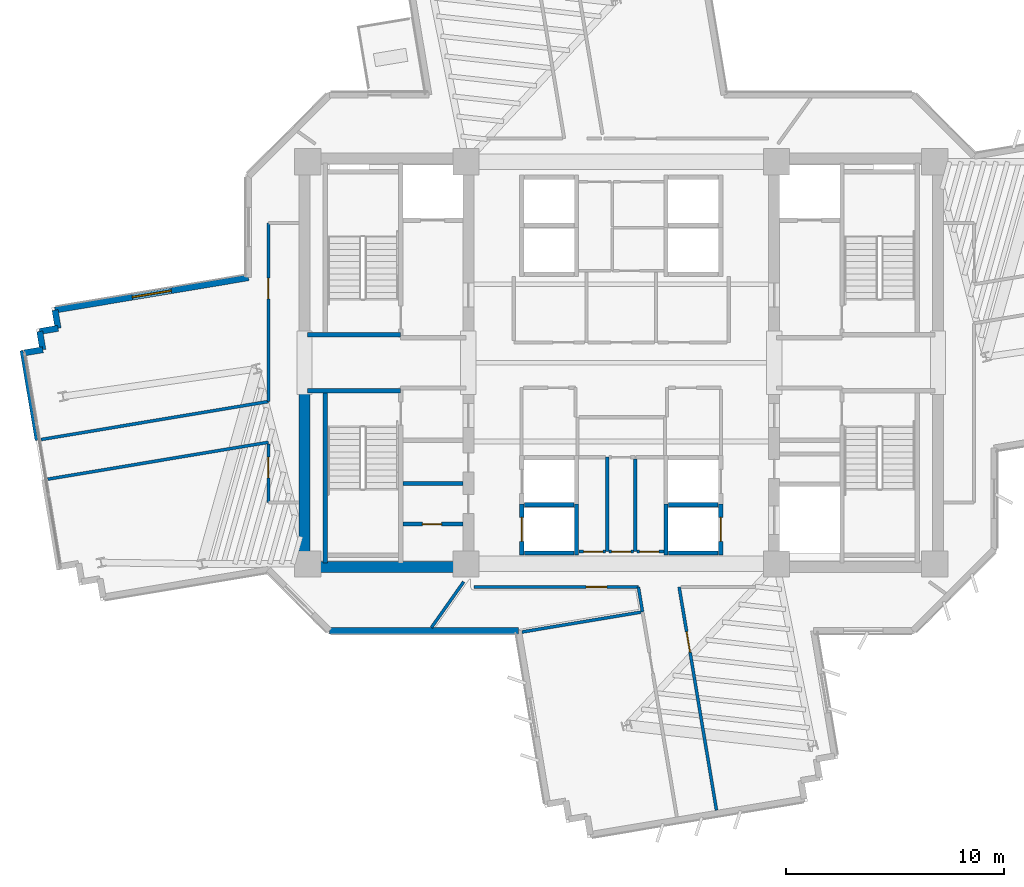
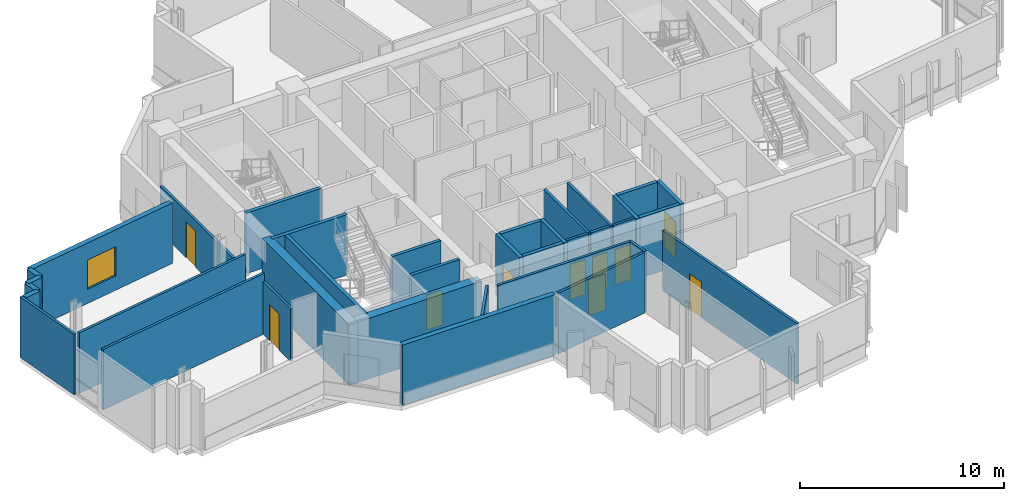
# One storey, part 7 of 15: 36 walls, 10 doors, 1 window, 11 openings.
"""IFC4 building model written with IfcOpenShell, lengths in metres."""

from ifc_helpers import new_model, si_unit, direction, frame, frame_2d, origin, place, context, subcontext, project, spatial, rectangle, extrude, source, transform, mapped, material, layer, layer_set, type_object, element, fill, save


model = new_model("IFC4")

# Units and contexts
model_context = context("Model", 3, precision=1e-05, world=origin(), true_north=direction((0.0, 1.0)))
body_context = subcontext(model_context, "Body", "Model", "MODEL_VIEW")
ifc_project = project(units=[si_unit("LENGTHUNIT", "METRE"), si_unit("AREAUNIT", "SQUARE_METRE"), si_unit("VOLUMEUNIT", "CUBIC_METRE"), si_unit("PLANEANGLEUNIT", "RADIAN"), si_unit("MASSUNIT", "GRAM", prefix="KILO")], contexts=[model_context])

# Site, building, storey
site_placement = place(None, origin())
site = spatial("IfcSite", under=ifc_project, at=site_placement, CompositionType="ELEMENT")
building_placement = place(site_placement, origin())
building = spatial("IfcBuilding", under=site, at=building_placement, Name="Zahravan Cultural Tower", CompositionType="ELEMENT")
storey_placement = place(building_placement, frame((0.0, 0.0, 143.39990234375)))
storey = spatial("IfcBuildingStorey", under=building, at=storey_placement, Name="L32", CompositionType="ELEMENT", Elevation=143.39990234375)

# Wall, opening, window
ifc_material_1 = material(Name="Precast concrete C40/50", Category="concrete")
ifc_layer_1 = layer(ifc_material_1, 0.280029296875)
ifc_layer_set_1 = layer_set([ifc_layer_1], Name="Precast concrete C40/50")
wall_type_1 = type_object("IfcWallType", Name="EW-TC-280", PredefinedType="SOLIDWALL", material=ifc_layer_set_1)
wall_1_placement = place(storey_placement, frame((10.0859375, 29.416015625, 0.0), z_axis=(0.0, 0.0, 1.0), x_axis=(0.98628492446, 0.165051651865, 0.0)))
wall_1 = element("IfcWall", 1, at=wall_1_placement, inside=storey, type_object=wall_type_1, Name="L32 Exterior Masonry Frame Wall 36", PredefinedType="SOLIDWALL", context=body_context, shape_type="SweptSolid", body=[
    extrude(rectangle(XDim=8.97705078125, YDim=0.280029296875, at=frame_2d((4.488525390625, 0.0))), origin(), (0.0, 0.0, 1.0), 3.6201171875),
])
opening_1_placement = place(wall_1_placement, frame((3.589111328125, 0.0, 0.85009765625)))
opening_1 = element("IfcOpeningElement", 2, at=opening_1_placement, cuts=wall_1, Name="Opening WN-02", PredefinedType="OPENING", context=body_context, shape_type="SweptSolid", body=[
    extrude(rectangle(XDim=1.800048828125, YDim=1.75, at=frame_2d((0.89990234375, 0.875))), frame((0.0, 0.14990234375, 0.0), z_axis=(0.0, -1.0, 0.0), x_axis=(1.0, 0.0, 0.0)), (0.0, 0.0, 1.0), 0.300048828125),
])
ifc_material_2 = material(Name="Low-E solar-control double glazing", Category="glass")
window_type = type_object("IfcWindowType", Name="WN-REC-1800X1750", PartitioningType="DOUBLE_PANEL_VERTICAL", PredefinedType="WINDOW", material=ifc_material_2)
shared_shape_1 = source(origin(), body_context, "Body", "SweptSolid", [
    extrude(rectangle(XDim=1.800048828125, YDim=1.75, at=frame_2d((0.89990234375, 0.875))), frame((0.0, 0.030029296875, 0.0), z_axis=(0.0, -1.0, 0.0), x_axis=(1.0, 0.0, 0.0)), (0.0, 0.0, 1.0), 0.06005859375),
])
window_placement = place(opening_1_placement, origin())
window = element("IfcWindow", 3, at=window_placement, inside=storey, type_object=window_type, Name="L32 Recessed Solar Window 07", OverallHeight=1.75, OverallWidth=1.800048828125, PartitioningType="DOUBLE_PANEL_VERTICAL", PredefinedType="WINDOW", context=body_context, shape_type="MappedRepresentation", body=[
    mapped(shared_shape_1, transform((0.0, 0.0, 0.0), x_axis=(1.0, 0.0, 0.0), y_axis=(0.0, 1.0, 0.0), z_axis=(0.0, 0.0, 1.0), scale=1.0)),
])
fill(opening_1, window)

# Wall, opening, door
ifc_material_3 = material(Name="Gypsum plasterboard partition")
ifc_layer_2 = layer(ifc_material_3, 0.179931640625)
ifc_layer_set_2 = layer_set([ifc_layer_2], Name="Gypsum plasterboard partition")
wall_type_2 = type_object("IfcWallType", Name="W-COMP-180", PredefinedType="PARTITIONING", material=ifc_layer_set_2)
wall_2_placement = place(storey_placement, frame((26.0, 19.6201171875, 0.0), z_axis=(0.0, 0.0, 1.0), x_axis=(1.0, 0.0, 0.0)))
wall_2 = element("IfcWall", 4, at=wall_2_placement, inside=storey, type_object=wall_type_2, Name="L32 Interior Wall 026", PredefinedType="PARTITIONING", context=body_context, shape_type="SweptSolid", body=[
    extrude(rectangle(XDim=2.75, YDim=0.179931640625, at=frame_2d((1.375, 0.0))), origin(), (0.0, 0.0, 1.0), 3.6201171875),
])
opening_2_placement = place(wall_2_placement, frame((0.89990234375, 0.0, 0.0)))
opening_2 = element("IfcOpeningElement", 5, at=opening_2_placement, cuts=wall_2, Name="Opening D-L32-09", PredefinedType="OPENING", context=body_context, shape_type="SweptSolid", body=[
    extrude(rectangle(XDim=0.8798828125, YDim=2.10009765625, at=frame_2d((0.43994140625, 1.050048828125))), frame((0.0, 0.099853515625, 0.0), z_axis=(0.0, -1.0, 0.0), x_axis=(1.0, 0.0, 0.0)), (0.0, 0.0, 1.0), 0.199951171875),
])
ifc_material_4 = material(Name="Steel ASTM A572 Grade 50", Category="steel")
door_type_1 = type_object("IfcDoorType", Name="DR-SVC-880", OperationType="NOTDEFINED", PredefinedType="DOOR", material=ifc_material_4)
shared_shape_2 = source(origin(), body_context, "Body", "SweptSolid", [
    extrude(rectangle(XDim=0.8798828125, YDim=2.10009765625, at=frame_2d((0.43994140625, 1.050048828125))), frame((0.0, 0.02490234375, 0.0), z_axis=(0.0, -1.0, 0.0), x_axis=(1.0, 0.0, 0.0)), (0.0, 0.0, 1.0), 0.050048828125),
])
door_1_placement = place(opening_2_placement, origin())
door_1 = element("IfcDoor", 6, at=door_1_placement, inside=storey, type_object=door_type_1, Name="L32 Door D-L32-09", OperationType="SINGLE_SWING_RIGHT", OverallHeight=2.10009765625, OverallWidth=0.8798828125, PredefinedType="DOOR", context=body_context, shape_type="MappedRepresentation", body=[
    mapped(shared_shape_2, transform((0.0, 0.0, 0.0), x_axis=(1.0, 0.0, 0.0), y_axis=(0.0, 1.0, 0.0), z_axis=(0.0, 0.0, 1.0), scale=1.0)),
])
fill(opening_2, door_1)

ifc_layer_3 = layer(ifc_material_3, 0.139892578125)
ifc_layer_set_3 = layer_set([ifc_layer_3], Name="Gypsum plasterboard partition")
wall_type_3 = type_object("IfcWallType", Name="W-PART-140", PredefinedType="PARTITIONING", material=ifc_layer_set_3)
wall_3_placement = place(storey_placement, frame((36.56494140625, 18.360107421875, 0.0), z_axis=(0.0, 0.0, 1.0), x_axis=(-1.0, 0.0, 0.0)))
wall_3 = element("IfcWall", 7, at=wall_3_placement, inside=storey, type_object=wall_type_3, Name="L32 Interior Wall 065", PredefinedType="PARTITIONING", context=body_context, shape_type="SweptSolid", body=[
    extrude(rectangle(XDim=1.1298828125, YDim=0.139892578125, at=frame_2d((0.56494140625, 0.0))), origin(), (0.0, 0.0, 1.0), 3.6201171875),
])
opening_3_placement = place(wall_3_placement, frame((0.125, 0.0, 0.0)))
opening_3 = element("IfcOpeningElement", 8, at=opening_3_placement, cuts=wall_3, Name="Opening D-L32-21", PredefinedType="OPENING", context=body_context, shape_type="SweptSolid", body=[
    extrude(rectangle(XDim=0.8798828125, YDim=2.10009765625, at=frame_2d((0.43994140625, 1.050048828125))), frame((0.0, 0.079833984375, 0.0), z_axis=(0.0, -1.0, 0.0), x_axis=(1.0, 0.0, 0.0)), (0.0, 0.0, 1.0), 0.159912109375),
])
ifc_material_5 = material(Name="Anodised bronze-aluminium mullion", Category="aluminium")
door_type_2 = type_object("IfcDoorType", Name="DR-ROOM-880", OperationType="NOTDEFINED", PredefinedType="DOOR", material=ifc_material_5)
door_2_placement = place(opening_3_placement, origin())
door_2 = element("IfcDoor", 9, at=door_2_placement, inside=storey, type_object=door_type_2, Name="L32 Door D-L32-21", OperationType="SINGLE_SWING_RIGHT", OverallHeight=2.10009765625, OverallWidth=0.8798828125, PredefinedType="DOOR", context=body_context, shape_type="MappedRepresentation", body=[
    mapped(shared_shape_2, transform((0.0, 0.0, 0.0), x_axis=(1.0, 0.0, 0.0), y_axis=(0.0, 1.0, 0.0), z_axis=(0.0, 0.0, 1.0), scale=1.0)),
])
fill(opening_3, door_2)

wall_4_placement = place(storey_placement, frame((35.284912109375, 18.360107421875, 0.0), z_axis=(0.0, 0.0, 1.0), x_axis=(-1.0, 0.0, 0.0)))
wall_4 = element("IfcWall", 10, at=wall_4_placement, inside=storey, type_object=wall_type_3, Name="L32 Interior Wall 067", PredefinedType="PARTITIONING", context=body_context, shape_type="SweptSolid", body=[
    extrude(rectangle(XDim=1.22998046875, YDim=0.139892578125, at=frame_2d((0.614990234375, 0.0))), origin(), (0.0, 0.0, 1.0), 3.6201171875),
])
opening_4_placement = place(wall_4_placement, frame((0.12255859375, 0.0, 0.0)))
opening_4 = element("IfcOpeningElement", 11, at=opening_4_placement, cuts=wall_4, Name="Opening D-L32-20", PredefinedType="OPENING", context=body_context, shape_type="SweptSolid", body=[
    extrude(rectangle(XDim=0.8798828125, YDim=2.10009765625, at=frame_2d((0.43994140625, 1.050048828125))), frame((0.0, 0.079833984375, 0.0), z_axis=(0.0, -1.0, 0.0), x_axis=(1.0, 0.0, 0.0)), (0.0, 0.0, 1.0), 0.159912109375),
])
door_3_placement = place(opening_4_placement, origin())
door_3 = element("IfcDoor", 12, at=door_3_placement, inside=storey, type_object=door_type_2, Name="L32 Door D-L32-20", OperationType="SINGLE_SWING_LEFT", OverallHeight=2.10009765625, OverallWidth=0.8798828125, PredefinedType="DOOR", context=body_context, shape_type="MappedRepresentation", body=[
    mapped(shared_shape_2, transform((0.0, 0.0, 0.0), x_axis=(1.0, 0.0, 0.0), y_axis=(0.0, 1.0, 0.0), z_axis=(0.0, 0.0, 1.0), scale=1.0)),
])
fill(opening_4, door_3)

wall_5_placement = place(storey_placement, frame((37.945068359375, 18.360107421875, 0.0), z_axis=(0.0, 0.0, 1.0), x_axis=(-1.0, 0.0, 0.0)))
wall_5 = element("IfcWall", 13, at=wall_5_placement, inside=storey, type_object=wall_type_3, Name="L32 Interior Wall 069", PredefinedType="PARTITIONING", context=body_context, shape_type="SweptSolid", body=[
    extrude(rectangle(XDim=1.22998046875, YDim=0.139892578125, at=frame_2d((0.614990234375, 0.0))), origin(), (0.0, 0.0, 1.0), 3.6201171875),
])
opening_5_placement = place(wall_5_placement, frame((0.2275390625, 0.0, 0.0)))
opening_5 = element("IfcOpeningElement", 14, at=opening_5_placement, cuts=wall_5, Name="Opening D-L32-22", PredefinedType="OPENING", context=body_context, shape_type="SweptSolid", body=[
    extrude(rectangle(XDim=0.8798828125, YDim=2.10009765625, at=frame_2d((0.43994140625, 1.050048828125))), frame((0.0, 0.079833984375, 0.0), z_axis=(0.0, -1.0, 0.0), x_axis=(1.0, 0.0, 0.0)), (0.0, 0.0, 1.0), 0.159912109375),
])
door_4_placement = place(opening_5_placement, origin())
door_4 = element("IfcDoor", 15, at=door_4_placement, inside=storey, type_object=door_type_2, Name="L32 Door D-L32-22", OperationType="SINGLE_SWING_LEFT", OverallHeight=2.10009765625, OverallWidth=0.8798828125, PredefinedType="DOOR", context=body_context, shape_type="MappedRepresentation", body=[
    mapped(shared_shape_2, transform((0.0, 0.0, 0.0), x_axis=(1.0, 0.0, 0.0), y_axis=(0.0, 1.0, 0.0), z_axis=(0.0, 0.0, 1.0), scale=1.0)),
])
fill(opening_5, door_4)

wall_6_placement = place(storey_placement, frame((29.257568359375, 16.740234375, 0.0), z_axis=(0.0, 0.0, 1.0), x_axis=(0.999999999474, -3.2436991e-05, 0.0)))
wall_6 = element("IfcWall", 16, at=wall_6_placement, inside=storey, type_object=wall_type_3, Name="L32 Interior Wall 088", PredefinedType="PARTITIONING", context=body_context, shape_type="SweptSolid", body=[
    extrude(rectangle(XDim=7.526611328125, YDim=0.139892578125, at=frame_2d((3.76318359375, 0.0))), origin(), (0.0, 0.0, 1.0), 3.6201171875),
])
opening_6_placement = place(wall_6_placement, frame((5.129638671875, 0.0, 0.0)))
opening_6 = element("IfcOpeningElement", 17, at=opening_6_placement, cuts=wall_6, Name="Opening D-L32-27", PredefinedType="OPENING", context=body_context, shape_type="SweptSolid", body=[
    extrude(rectangle(XDim=0.949951171875, YDim=2.14990234375, at=frame_2d((0.47509765625, 1.074951171875))), frame((0.0, 0.079833984375, 0.0), z_axis=(0.0, -1.0, 0.0), x_axis=(1.0, 0.0, 0.0)), (0.0, 0.0, 1.0), 0.159912109375),
])
door_type_3 = type_object("IfcDoorType", Name="DR-ROOM-950", OperationType="NOTDEFINED", PredefinedType="DOOR", material=ifc_material_5)
shared_shape_3 = source(origin(), body_context, "Body", "SweptSolid", [
    extrude(rectangle(XDim=0.949951171875, YDim=2.14990234375, at=frame_2d((0.47509765625, 1.074951171875))), frame((0.0, 0.02490234375, 0.0), z_axis=(0.0, -1.0, 0.0), x_axis=(1.0, 0.0, 0.0)), (0.0, 0.0, 1.0), 0.050048828125),
])
door_5_placement = place(opening_6_placement, origin())
door_5 = element("IfcDoor", 18, at=door_5_placement, inside=storey, type_object=door_type_3, Name="L32 Door D-L32-27", OperationType="SINGLE_SWING_RIGHT", OverallHeight=2.14990234375, OverallWidth=0.949951171875, PredefinedType="DOOR", context=body_context, shape_type="MappedRepresentation", body=[
    mapped(shared_shape_3, transform((0.0, 0.0, 0.0), x_axis=(1.0, 0.0, 0.0), y_axis=(0.0, 1.0, 0.0), z_axis=(0.0, 0.0, 1.0), scale=1.0)),
])
fill(opening_6, door_5)

wall_7_placement = place(storey_placement, frame((19.853759765625, 33.3994140625, 0.0), z_axis=(0.0, 0.0, 1.0), x_axis=(-0.000448283031, -0.999999899521, 0.0)))
wall_7 = element("IfcWall", 19, at=wall_7_placement, inside=storey, type_object=wall_type_3, Name="L32 Interior Wall 093", PredefinedType="PARTITIONING", context=body_context, shape_type="SweptSolid", body=[
    extrude(rectangle(XDim=8.169189453125, YDim=0.139892578125, at=frame_2d((4.08447265625, 0.0))), origin(), (0.0, 0.0, 1.0), 2.76611328125),
])
opening_7_placement = place(wall_7_placement, frame((2.52685546875, 0.0, 0.0)))
opening_7 = element("IfcOpeningElement", 20, at=opening_7_placement, cuts=wall_7, Name="Opening D-L32-25", PredefinedType="OPENING", context=body_context, shape_type="SweptSolid", body=[
    extrude(rectangle(XDim=0.949951171875, YDim=2.14990234375, at=frame_2d((0.47509765625, 1.074951171875))), frame((0.0, 0.079833984375, 0.0), z_axis=(0.0, -1.0, 0.0), x_axis=(1.0, 0.0, 0.0)), (0.0, 0.0, 1.0), 0.159912109375),
])
door_6_placement = place(opening_7_placement, origin())
door_6 = element("IfcDoor", 21, at=door_6_placement, inside=storey, type_object=door_type_3, Name="L32 Door D-L32-25", OperationType="SINGLE_SWING_RIGHT", OverallHeight=2.14990234375, OverallWidth=0.949951171875, PredefinedType="DOOR", context=body_context, shape_type="MappedRepresentation", body=[
    mapped(shared_shape_3, transform((0.0, 0.0, 0.0), x_axis=(1.0, 0.0, 0.0), y_axis=(0.0, 1.0, 0.0), z_axis=(0.0, 0.0, 1.0), scale=1.0)),
])
fill(opening_7, door_6)

wall_8_placement = place(storey_placement, frame((40.359375, 6.523681640625, 0.0), z_axis=(0.0, 0.0, 1.0), x_axis=(-0.165056345303, 0.986284139016, 0.0)))
wall_8 = element("IfcWall", 22, at=wall_8_placement, inside=storey, type_object=wall_type_3, Name="L32 Interior Wall 098", PredefinedType="PARTITIONING", context=body_context, shape_type="SweptSolid", body=[
    extrude(rectangle(XDim=10.3583984375, YDim=0.139892578125, at=frame_2d((5.17919921875, 0.0))), origin(), (0.0, 0.0, 1.0), 3.6201171875),
])
opening_8_placement = place(wall_8_placement, frame((7.33837890625, 0.0, 0.0)))
opening_8 = element("IfcOpeningElement", 23, at=opening_8_placement, cuts=wall_8, Name="Opening D-L32-29", PredefinedType="OPENING", context=body_context, shape_type="SweptSolid", body=[
    extrude(rectangle(XDim=0.949951171875, YDim=2.14990234375, at=frame_2d((0.47509765625, 1.074951171875))), frame((0.0, 0.079833984375, 0.0), z_axis=(0.0, -1.0, 0.0), x_axis=(1.0, 0.0, 0.0)), (0.0, 0.0, 1.0), 0.159912109375),
])
door_7_placement = place(opening_8_placement, origin())
door_7 = element("IfcDoor", 24, at=door_7_placement, inside=storey, type_object=door_type_3, Name="L32 Door D-L32-29", OperationType="SINGLE_SWING_RIGHT", OverallHeight=2.14990234375, OverallWidth=0.949951171875, PredefinedType="DOOR", context=body_context, shape_type="MappedRepresentation", body=[
    mapped(shared_shape_3, transform((0.0, 0.0, 0.0), x_axis=(1.0, 0.0, 0.0), y_axis=(0.0, 1.0, 0.0), z_axis=(0.0, 0.0, 1.0), scale=1.0)),
])
fill(opening_8, door_7)

wall_9_placement = place(storey_placement, frame((19.85009765625, 23.28857421875, 0.0), z_axis=(0.0, 0.0, 1.0), x_axis=(0.000363372069, -0.99999993398, 0.0)))
wall_9 = element("IfcWall", 25, at=wall_9_placement, inside=storey, type_object=wall_type_3, Name="L32 Interior Wall 103", PredefinedType="PARTITIONING", context=body_context, shape_type="SweptSolid", body=[
    extrude(rectangle(XDim=2.6875, YDim=0.139892578125, at=frame_2d((1.34375, 0.0))), origin(), (0.0, 0.0, 1.0), 3.149169921875),
])
opening_9_placement = place(wall_9_placement, frame((0.608154296875, 0.0, 0.0)))
opening_9 = element("IfcOpeningElement", 26, at=opening_9_placement, cuts=wall_9, Name="Opening D-L32-26", PredefinedType="OPENING", context=body_context, shape_type="SweptSolid", body=[
    extrude(rectangle(XDim=0.949951171875, YDim=2.14990234375, at=frame_2d((0.47509765625, 1.074951171875))), frame((0.0, 0.079833984375, 0.0), z_axis=(0.0, -1.0, 0.0), x_axis=(1.0, 0.0, 0.0)), (0.0, 0.0, 1.0), 0.159912109375),
])
door_8_placement = place(opening_9_placement, origin())
door_8 = element("IfcDoor", 27, at=door_8_placement, inside=storey, type_object=door_type_3, Name="L32 Door D-L32-26", OperationType="SINGLE_SWING_LEFT", OverallHeight=2.14990234375, OverallWidth=0.949951171875, PredefinedType="DOOR", context=body_context, shape_type="MappedRepresentation", body=[
    mapped(shared_shape_3, transform((0.0, 0.0, 0.0), x_axis=(1.0, 0.0, 0.0), y_axis=(0.0, 1.0, 0.0), z_axis=(0.0, 0.0, 1.0), scale=1.0)),
])
fill(opening_9, door_8)

ifc_material_6 = material(Name="Concrete C45/55", Category="concrete")
ifc_layer_4 = layer(ifc_material_6, 0.199951171875)
ifc_layer_set_4 = layer_set([ifc_layer_4], Name="Concrete C45/55")
wall_type_4 = type_object("IfcWallType", Name="W-SHAFT-200", PredefinedType="SOLIDWALL", material=ifc_layer_set_4)
wall_10_placement = place(storey_placement, frame((31.449951171875, 18.199951171875, 0.0), z_axis=(0.0, 0.0, 1.0), x_axis=(0.0, 1.0, 0.0)))
wall_10 = element("IfcWall", 28, at=wall_10_placement, inside=storey, type_object=wall_type_4, Name="L32 Interior Wall 047", PredefinedType="SOLIDWALL", context=body_context, shape_type="SweptSolid", body=[
    extrude(rectangle(XDim=2.35009765625, YDim=0.199951171875, at=frame_2d((1.175048828125, 0.0))), origin(), (0.0, 0.0, 1.0), 3.6201171875),
])
opening_10_placement = place(wall_10_placement, frame((0.625, 0.0, 0.0)))
opening_10 = element("IfcOpeningElement", 29, at=opening_10_placement, cuts=wall_10, Name="Opening LD-L32-05", PredefinedType="OPENING", context=body_context, shape_type="SweptSolid", body=[
    extrude(rectangle(XDim=1.10009765625, YDim=2.14990234375, at=frame_2d((0.550048828125, 1.074951171875))), frame((0.0, 0.10986328125, 0.0), z_axis=(0.0, -1.0, 0.0), x_axis=(1.0, 0.0, 0.0)), (0.0, 0.0, 1.0), 0.219970703125),
])
door_type_4 = type_object("IfcDoorType", Name="DR-LIFT-1100", OperationType="DOUBLE_DOOR_SLIDING", PredefinedType="DOOR", material=ifc_material_4)
shared_shape_4 = source(origin(), body_context, "Body", "SweptSolid", [
    extrude(rectangle(XDim=1.10009765625, YDim=2.14990234375, at=frame_2d((0.550048828125, 1.074951171875))), frame((0.0, 0.02490234375, 0.0), z_axis=(0.0, -1.0, 0.0), x_axis=(1.0, 0.0, 0.0)), (0.0, 0.0, 1.0), 0.050048828125),
])
door_9_placement = place(opening_10_placement, origin())
door_9 = element("IfcDoor", 30, at=door_9_placement, inside=storey, type_object=door_type_4, Name="L32 Door LD-L32-05", OperationType="DOUBLE_DOOR_SLIDING", OverallHeight=2.14990234375, OverallWidth=1.10009765625, PredefinedType="DOOR", context=body_context, shape_type="MappedRepresentation", body=[
    mapped(shared_shape_4, transform((0.0, 0.0, 0.0), x_axis=(1.0, 0.0, 0.0), y_axis=(0.0, 1.0, 0.0), z_axis=(0.0, 0.0, 1.0), scale=1.0)),
])
fill(opening_10, door_9)

wall_11_placement = place(storey_placement, frame((40.550048828125, 18.199951171875, 0.0), z_axis=(0.0, 0.0, 1.0), x_axis=(0.0, 1.0, 0.0)))
wall_11 = element("IfcWall", 31, at=wall_11_placement, inside=storey, type_object=wall_type_4, Name="L32 Interior Wall 055", PredefinedType="SOLIDWALL", context=body_context, shape_type="SweptSolid", body=[
    extrude(rectangle(XDim=2.35009765625, YDim=0.199951171875, at=frame_2d((1.175048828125, 0.0))), origin(), (0.0, 0.0, 1.0), 3.6201171875),
])
opening_11_placement = place(wall_11_placement, frame((0.625, 0.0, 0.0)))
opening_11 = element("IfcOpeningElement", 32, at=opening_11_placement, cuts=wall_11, Name="Opening LD-L32-07", PredefinedType="OPENING", context=body_context, shape_type="SweptSolid", body=[
    extrude(rectangle(XDim=1.10009765625, YDim=2.14990234375, at=frame_2d((0.550048828125, 1.074951171875))), frame((0.0, 0.10986328125, 0.0), z_axis=(0.0, -1.0, 0.0), x_axis=(1.0, 0.0, 0.0)), (0.0, 0.0, 1.0), 0.219970703125),
])
door_10_placement = place(opening_11_placement, origin())
door_10 = element("IfcDoor", 33, at=door_10_placement, inside=storey, type_object=door_type_4, Name="L32 Door LD-L32-07", OperationType="DOUBLE_DOOR_SLIDING", OverallHeight=2.14990234375, OverallWidth=1.10009765625, PredefinedType="DOOR", context=body_context, shape_type="MappedRepresentation", body=[
    mapped(shared_shape_4, transform((0.0, 0.0, 0.0), x_axis=(1.0, 0.0, 0.0), y_axis=(0.0, 1.0, 0.0), z_axis=(0.0, 0.0, 1.0), scale=1.0)),
])
fill(opening_11, door_10)

# Walls
ifc_material_7 = material(Name="Concrete C60/75", Category="concrete")
ifc_layer_5 = layer(ifc_material_7, 0.5)
ifc_layer_set_5 = layer_set([ifc_layer_5], Name="Concrete C60/75")
wall_type_5 = type_object("IfcWallType", Name="CW-SHEAR-500-C60", PredefinedType="SHEAR", material=ifc_layer_set_5)
shared_shape_5 = source(origin(), body_context, "Body", "SweptSolid", [
    extrude(rectangle(XDim=8.550048828125, YDim=0.5, at=frame_2d((4.27490234375, 0.0))), origin(), (0.0, 0.0, 1.0), 3.6201171875),
])
wall_12_placement = place(storey_placement, frame((21.5, 17.39990234375, 0.0), z_axis=(0.0, 0.0, 1.0), x_axis=(0.0, 1.0, 0.0)))
element("IfcWall", 34, at=wall_12_placement, inside=storey, type_object=wall_type_5, Name="L32 Core Shear Wall CW-W-WS-L32", PredefinedType="SHEAR", context=body_context, shape_type="MappedRepresentation", body=[
    mapped(shared_shape_5, transform((0.0, 0.0, 0.0), x_axis=(1.0, 0.0, 0.0), y_axis=(0.0, 1.0, 0.0), z_axis=(0.0, 0.0, 1.0), scale=1.0)),
])
shared_shape_6 = source(origin(), body_context, "Body", "SweptSolid", [
    extrude(rectangle(XDim=7.0, YDim=0.5, at=frame_2d((3.5, 0.0))), origin(), (0.0, 0.0, 1.0), 3.6201171875),
])
wall_13_placement = place(storey_placement, frame((21.75, 17.64990234375, 0.0), z_axis=(0.0, 0.0, 1.0), x_axis=(1.0, 0.0, 0.0)))
element("IfcWall", 35, at=wall_13_placement, inside=storey, type_object=wall_type_5, Name="L32 Core Shear Wall CW-W-S-L32", PredefinedType="SHEAR", context=body_context, shape_type="MappedRepresentation", body=[
    mapped(shared_shape_6, transform((0.0, 0.0, 0.0), x_axis=(1.0, 0.0, 0.0), y_axis=(0.0, 1.0, 0.0), z_axis=(0.0, 0.0, 1.0), scale=1.0)),
])
shared_shape_7 = source(origin(), body_context, "Body", "SweptSolid", [
    extrude(rectangle(XDim=0.85009765625, YDim=0.280029296875, at=frame_2d((0.425048828125, 0.0))), origin(), (0.0, 0.0, 1.0), 3.6201171875),
])
for number, where, z_axis, x_axis, name in (
    (36, (8.689697265625, 27.458740234375, 0.0), (0.0, 0.0, 1.0), (0.986269444653, 0.16514412658, 0.0), "L32 Exterior Masonry Frame Wall 32"),
    (37, (9.528076171875, 27.59912109375, 0.0), (0.0, 0.0, 1.0), (-0.16514412658, 0.986269444653, 0.0), "L32 Exterior Masonry Frame Wall 33"),
    (38, (9.3876953125, 28.4375, 0.0), (0.0, 0.0, 1.0), (0.986316186628, 0.164864732418, 0.0), "L32 Exterior Masonry Frame Wall 34"),
    (39, (10.22607421875, 28.57763671875, 0.0), (0.0, 0.0, 1.0), (-0.164864732418, 0.986316186628, 0.0), "L32 Exterior Masonry Frame Wall 35"),
):
    element("IfcWall", number, at=place(storey_placement, frame(where, z_axis=z_axis, x_axis=x_axis)), inside=storey, type_object=wall_type_1, Name=name, PredefinedType="SOLIDWALL", context=body_context, shape_type="MappedRepresentation", body=[
        mapped(shared_shape_7, transform((0.0, 0.0, 0.0), x_axis=(1.0, 0.0, 0.0), y_axis=(0.0, 1.0, 0.0), z_axis=(0.0, 0.0, 1.0), scale=1.0)),
    ])
shared_shape_8 = source(origin(), body_context, "Body", "SweptSolid", [
    extrude(rectangle(XDim=8.64111328125, YDim=0.280029296875, at=frame_2d((4.320556640625, 0.0))), origin(), (0.0, 0.0, 1.0), 3.6201171875),
])
wall_14_placement = place(storey_placement, frame((31.299072265625, 14.739990234375, 0.0), z_axis=(0.0, 0.0, 1.0), x_axis=(-1.0, 0.0, 0.0)))
element("IfcWall", 40, at=wall_14_placement, inside=storey, type_object=wall_type_1, Name="L32 Exterior Masonry Frame Wall 25", PredefinedType="SOLIDWALL", context=body_context, shape_type="MappedRepresentation", body=[
    mapped(shared_shape_8, transform((0.0, 0.0, 0.0), x_axis=(1.0, 0.0, 0.0), y_axis=(0.0, 1.0, 0.0), z_axis=(0.0, 0.0, 1.0), scale=1.0)),
])
shared_shape_9 = source(origin(), body_context, "Body", "SweptSolid", [
    extrude(rectangle(XDim=7.869873046875, YDim=0.199951171875, at=frame_2d((3.93505859375, 0.0))), origin(), (0.0, 0.0, 1.0), 3.6201171875),
])
wall_15_placement = place(storey_placement, frame((22.449951171875, 17.85009765625, 0.0), z_axis=(0.0, 0.0, 1.0), x_axis=(0.0, 1.0, 0.0)))
element("IfcWall", 41, at=wall_15_placement, inside=storey, type_object=wall_type_4, Name="L32 Interior Wall 001", PredefinedType="SOLIDWALL", context=body_context, shape_type="MappedRepresentation", body=[
    mapped(shared_shape_9, transform((0.0, 0.0, 0.0), x_axis=(1.0, 0.0, 0.0), y_axis=(0.0, 1.0, 0.0), z_axis=(0.0, 0.0, 1.0), scale=1.0)),
])
shared_shape_10 = source(origin(), body_context, "Body", "SweptSolid", [
    extrude(rectangle(XDim=4.25, YDim=0.199951171875, at=frame_2d((2.125, 0.0))), origin(), (0.0, 0.0, 1.0), 3.6201171875),
])
for number, where, z_axis, x_axis, name in (
    (42, (21.64990234375, 25.715087890625, 0.0), (0.0, 0.0, 1.0), (1.0, 0.0, 0.0), "L32 Interior Wall 009"),
    (43, (21.64990234375, 28.284912109375, 0.0), (0.0, 0.0, 1.0), (1.0, 0.0, 0.0), "L32 Interior Wall 011"),
):
    element("IfcWall", number, at=place(storey_placement, frame(where, z_axis=z_axis, x_axis=x_axis)), inside=storey, type_object=wall_type_4, Name=name, PredefinedType="SOLIDWALL", context=body_context, shape_type="MappedRepresentation", body=[
        mapped(shared_shape_10, transform((0.0, 0.0, 0.0), x_axis=(1.0, 0.0, 0.0), y_axis=(0.0, 1.0, 0.0), z_axis=(0.0, 0.0, 1.0), scale=1.0)),
    ])
shared_shape_11 = source(origin(), body_context, "Body", "SweptSolid", [
    extrude(rectangle(XDim=2.75, YDim=0.179931640625, at=frame_2d((1.375, 0.0))), origin(), (0.0, 0.0, 1.0), 3.6201171875),
])
wall_16_placement = place(storey_placement, frame((26.0, 21.47998046875, 0.0), z_axis=(0.0, 0.0, 1.0), x_axis=(1.0, 0.0, 0.0)))
element("IfcWall", 44, at=wall_16_placement, inside=storey, type_object=wall_type_2, Name="L32 Interior Wall 027", PredefinedType="PARTITIONING", context=body_context, shape_type="MappedRepresentation", body=[
    mapped(shared_shape_11, transform((0.0, 0.0, 0.0), x_axis=(1.0, 0.0, 0.0), y_axis=(0.0, 1.0, 0.0), z_axis=(0.0, 0.0, 1.0), scale=1.0)),
])
shared_shape_12 = source(origin(), body_context, "Body", "SweptSolid", [
    extrude(rectangle(XDim=2.260009765625, YDim=0.199951171875, at=frame_2d((1.1298828125, 0.0))), origin(), (0.0, 0.0, 1.0), 3.6201171875),
])
for number, where, z_axis, x_axis, name in (
    (45, (31.570068359375, 20.5, 0.0), (0.0, 0.0, 1.0), (1.0, 0.0, 0.0), "L32 Interior Wall 045"),
    (46, (31.570068359375, 18.300048828125, 0.0), (0.0, 0.0, 1.0), (1.0, 0.0, 0.0), "L32 Interior Wall 049"),
    (47, (38.169921875, 20.5, 0.0), (0.0, 0.0, 1.0), (1.0, 0.0, 0.0), "L32 Interior Wall 052"),
    (48, (38.169921875, 18.300048828125, 0.0), (0.0, 0.0, 1.0), (1.0, 0.0, 0.0), "L32 Interior Wall 056"),
):
    element("IfcWall", number, at=place(storey_placement, frame(where, z_axis=z_axis, x_axis=x_axis)), inside=storey, type_object=wall_type_4, Name=name, PredefinedType="SOLIDWALL", context=body_context, shape_type="MappedRepresentation", body=[
        mapped(shared_shape_12, transform((0.0, 0.0, 0.0), x_axis=(1.0, 0.0, 0.0), y_axis=(0.0, 1.0, 0.0), z_axis=(0.0, 0.0, 1.0), scale=1.0)),
    ])
shared_shape_13 = source(origin(), body_context, "Body", "SweptSolid", [
    extrude(rectangle(XDim=2.35009765625, YDim=0.199951171875, at=frame_2d((1.175048828125, 0.0))), origin(), (0.0, 0.0, 1.0), 3.6201171875),
])
for number, where, z_axis, x_axis, name in (
    (49, (33.949951171875, 18.199951171875, 0.0), (0.0, 0.0, 1.0), (0.0, 1.0, 0.0), "L32 Interior Wall 048"),
    (50, (38.050048828125, 18.199951171875, 0.0), (0.0, 0.0, 1.0), (0.0, 1.0, 0.0), "L32 Interior Wall 054"),
):
    element("IfcWall", number, at=place(storey_placement, frame(where, z_axis=z_axis, x_axis=x_axis)), inside=storey, type_object=wall_type_4, Name=name, PredefinedType="SOLIDWALL", context=body_context, shape_type="MappedRepresentation", body=[
        mapped(shared_shape_13, transform((0.0, 0.0, 0.0), x_axis=(1.0, 0.0, 0.0), y_axis=(0.0, 1.0, 0.0), z_axis=(0.0, 0.0, 1.0), scale=1.0)),
    ])
shared_shape_14 = source(origin(), body_context, "Body", "SweptSolid", [
    extrude(rectangle(XDim=4.31982421875, YDim=0.139892578125, at=frame_2d((2.159912109375, 0.0))), origin(), (0.0, 0.0, 1.0), 3.6201171875),
])
wall_17_placement = place(storey_placement, frame((35.360107421875, 18.360107421875, 0.0), z_axis=(0.0, 0.0, 1.0), x_axis=(0.0, 1.0, 0.0)))
element("IfcWall", 51, at=wall_17_placement, inside=storey, type_object=wall_type_3, Name="L32 Interior Wall 062", PredefinedType="PARTITIONING", context=body_context, shape_type="MappedRepresentation", body=[
    mapped(shared_shape_14, transform((0.0, 0.0, 0.0), x_axis=(1.0, 0.0, 0.0), y_axis=(0.0, 1.0, 0.0), z_axis=(0.0, 0.0, 1.0), scale=1.0)),
])
shared_shape_15 = source(origin(), body_context, "Body", "SweptSolid", [
    extrude(rectangle(XDim=4.244873046875, YDim=0.139892578125, at=frame_2d((2.12255859375, 0.0))), origin(), (0.0, 0.0, 1.0), 3.6201171875),
])
wall_18_placement = place(storey_placement, frame((36.639892578125, 22.60498046875, 0.0), z_axis=(0.0, 0.0, 1.0), x_axis=(0.0, -1.0, 0.0)))
element("IfcWall", 52, at=wall_18_placement, inside=storey, type_object=wall_type_3, Name="L32 Interior Wall 064", PredefinedType="PARTITIONING", context=body_context, shape_type="MappedRepresentation", body=[
    mapped(shared_shape_15, transform((0.0, 0.0, 0.0), x_axis=(1.0, 0.0, 0.0), y_axis=(0.0, 1.0, 0.0), z_axis=(0.0, 0.0, 1.0), scale=1.0)),
])
shared_shape_16 = source(origin(), body_context, "Body", "SweptSolid", [
    extrude(rectangle(XDim=1.1513671875, YDim=0.139892578125, at=frame_2d((0.57568359375, 0.0))), origin(), (0.0, 0.0, 1.0), 3.6201171875),
])
wall_19_placement = place(storey_placement, frame((36.7841796875, 16.739990234375, 0.0), z_axis=(0.0, 0.0, 1.0), x_axis=(0.164983559387, -0.986296317104, 0.0)))
element("IfcWall", 53, at=wall_19_placement, inside=storey, type_object=wall_type_3, Name="L32 Interior Wall 089", PredefinedType="PARTITIONING", context=body_context, shape_type="MappedRepresentation", body=[
    mapped(shared_shape_16, transform((0.0, 0.0, 0.0), x_axis=(1.0, 0.0, 0.0), y_axis=(0.0, 1.0, 0.0), z_axis=(0.0, 0.0, 1.0), scale=1.0)),
])
shared_shape_17 = source(origin(), body_context, "Body", "SweptSolid", [
    extrude(rectangle(XDim=5.52001953125, YDim=0.139892578125, at=frame_2d((2.760009765625, 0.0))), origin(), (0.0, 0.0, 1.0), 3.6201171875),
])
wall_20_placement = place(storey_placement, frame((36.900146484375, 15.592041015625, 0.0), z_axis=(0.0, 0.0, 1.0), x_axis=(-0.986290930087, -0.165015760545, 0.0)))
element("IfcWall", 54, at=wall_20_placement, inside=storey, type_object=wall_type_3, Name="L32 Interior Wall 090", PredefinedType="PARTITIONING", context=body_context, shape_type="MappedRepresentation", body=[
    mapped(shared_shape_17, transform((0.0, 0.0, 0.0), x_axis=(1.0, 0.0, 0.0), y_axis=(0.0, 1.0, 0.0), z_axis=(0.0, 0.0, 1.0), scale=1.0)),
])
shared_shape_18 = source(origin(), body_context, "Body", "SweptSolid", [
    extrude(rectangle(XDim=2.56494140625, YDim=0.139892578125, at=frame_2d((1.282470703125, 0.0))), origin(), (0.0, 0.0, 1.0), 3.6201171875),
])
wall_21_placement = place(storey_placement, frame((27.311279296875, 14.885009765625, 0.0), z_axis=(0.0, 0.0, 1.0), x_axis=(0.576926084836, 0.816796359343, 0.0)))
element("IfcWall", 55, at=wall_21_placement, inside=storey, type_object=wall_type_3, Name="L32 Interior Wall 091", PredefinedType="PARTITIONING", context=body_context, shape_type="MappedRepresentation", body=[
    mapped(shared_shape_18, transform((0.0, 0.0, 0.0), x_axis=(1.0, 0.0, 0.0), y_axis=(0.0, 1.0, 0.0), z_axis=(0.0, 0.0, 1.0), scale=1.0)),
])
shared_shape_19 = source(origin(), body_context, "Body", "SweptSolid", [
    extrude(rectangle(XDim=10.54443359375, YDim=0.139892578125, at=frame_2d((5.272216796875, 0.0))), origin(), (0.0, 0.0, 1.0), 3.6201171875),
])
wall_22_placement = place(storey_placement, frame((19.85009765625, 25.230224609375, 0.0), z_axis=(0.0, 0.0, 1.0), x_axis=(-0.986287336963, -0.165037235031, 0.0)))
element("IfcWall", 56, at=wall_22_placement, inside=storey, type_object=wall_type_3, Name="L32 Interior Wall 094", PredefinedType="PARTITIONING", context=body_context, shape_type="MappedRepresentation", body=[
    mapped(shared_shape_19, transform((0.0, 0.0, 0.0), x_axis=(1.0, 0.0, 0.0), y_axis=(0.0, 1.0, 0.0), z_axis=(0.0, 0.0, 1.0), scale=1.0)),
])
shared_shape_20 = source(origin(), body_context, "Body", "SweptSolid", [
    extrude(rectangle(XDim=4.16015625, YDim=0.139892578125, at=frame_2d((2.080078125, 0.0))), origin(), (0.0, 0.0, 1.0), 3.6201171875),
])
wall_23_placement = place(storey_placement, frame((9.238037109375, 23.454345703125, 0.0), z_axis=(0.0, 0.0, 1.0), x_axis=(-0.165027060507, 0.98628903943, 0.0)))
element("IfcWall", 57, at=wall_23_placement, inside=storey, type_object=wall_type_3, Name="L32 Interior Wall 095", PredefinedType="PARTITIONING", context=body_context, shape_type="MappedRepresentation", body=[
    mapped(shared_shape_20, transform((0.0, 0.0, 0.0), x_axis=(1.0, 0.0, 0.0), y_axis=(0.0, 1.0, 0.0), z_axis=(0.0, 0.0, 1.0), scale=1.0)),
])
shared_shape_21 = source(origin(), body_context, "Body", "SweptSolid", [
    extrude(rectangle(XDim=10.236572265625, YDim=0.139892578125, at=frame_2d((5.1181640625, 0.0))), origin(), (0.0, 0.0, 1.0), 3.6201171875),
])
wall_24_placement = place(storey_placement, frame((9.75390625, 21.67529296875, 0.0), z_axis=(0.0, 0.0, 1.0), x_axis=(0.986290594835, 0.165017764319, 0.0)))
element("IfcWall", 58, at=wall_24_placement, inside=storey, type_object=wall_type_3, Name="L32 Interior Wall 102", PredefinedType="PARTITIONING", context=body_context, shape_type="MappedRepresentation", body=[
    mapped(shared_shape_21, transform((0.0, 0.0, 0.0), x_axis=(1.0, 0.0, 0.0), y_axis=(0.0, 1.0, 0.0), z_axis=(0.0, 0.0, 1.0), scale=1.0)),
])

save(model, "model.ifc")
